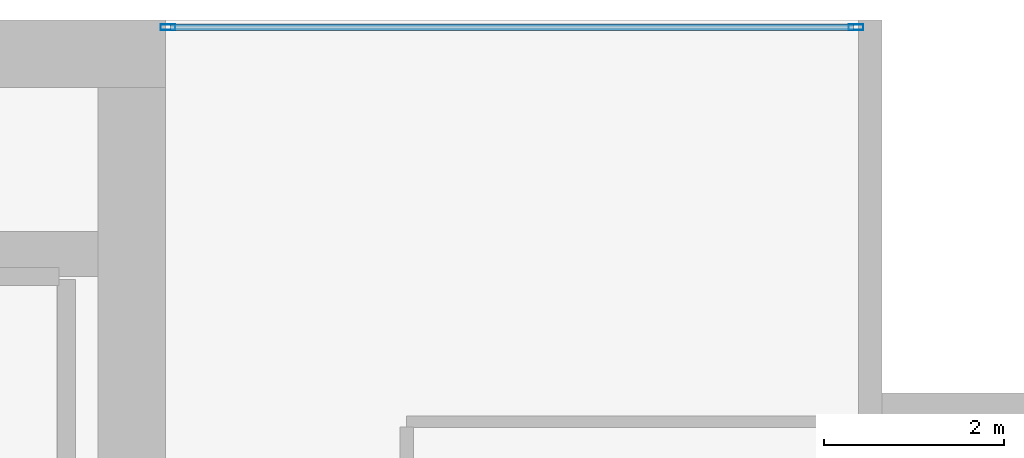
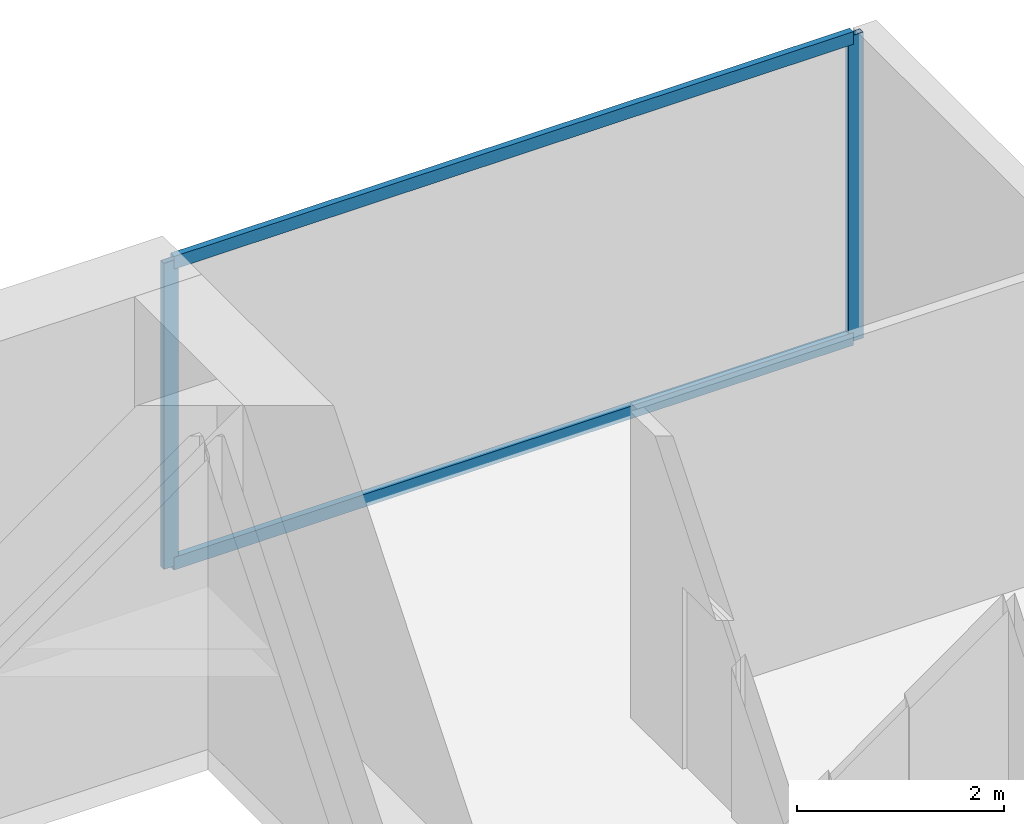
# One storey, part 25 of 34: 4 members, 1 element without a shape of its own.
"""IFC4 building model written with IfcOpenShell, lengths in metres."""

from ifc_helpers import new_model, si_unit, direction, frame, origin, origin_2d, place, context, subcontext, project, spatial, hollow_rectangle, extrude, material, layer, layer_set, material_profile, profile_set, type_object, element, aggregate, save


model = new_model("IFC4")

# Units and contexts
model_context = context("Model", 3, precision=1e-05, world=origin(), true_north=direction((0.0, 1.0)))
body_context = subcontext(model_context, "Body", "Model", "MODEL_VIEW")
ifc_project = project(units=[si_unit("LENGTHUNIT", "METRE"), si_unit("AREAUNIT", "SQUARE_METRE"), si_unit("VOLUMEUNIT", "CUBIC_METRE"), si_unit("PLANEANGLEUNIT", "RADIAN"), si_unit("MASSUNIT", "GRAM", prefix="KILO")], contexts=[model_context])

# Site, building, storey
site_placement = place(None, origin())
site = spatial("IfcSite", under=ifc_project, at=site_placement, CompositionType="ELEMENT")
building_placement = place(site_placement, origin())
building = spatial("IfcBuilding", under=site, at=building_placement, Name="Maruvema Waterfront Hotel and Observation Tower", CompositionType="ELEMENT")
storey_placement = place(building_placement, frame((0.0, 0.0, 215.949951171875)))
storey = spatial("IfcBuildingStorey", under=building, at=storey_placement, Name="L53", CompositionType="ELEMENT", Elevation=215.949951171875)

# Curtain wall, members
ifc_material_1 = material(Name="Anodised bronze aluminium and solar-control low-E IGU", Category="aluminium")
ifc_layer = layer(ifc_material_1, 0.159912109375, Name="Zone 2 Amber Inner Thermal Curtain Wall System CW-03")
ifc_layer_set = layer_set([ifc_layer], Name="Anodised bronze aluminium and solar-control low-E IGU")
curtain_wall_type = type_object("IfcCurtainWallType", Name="Zone 2 Amber Inner Thermal Curtain Wall System CW-03", PredefinedType="USERDEFINED", material=ifc_layer_set)
curtain_wall_placement = place(storey_placement, origin())
curtain_wall = element("IfcCurtainWall", 1, at=curtain_wall_placement, inside=storey, type_object=curtain_wall_type, Name="L53 Curtain Wall CW-L53-NE", ObjectType="UNITISED CURTAIN WALL", PredefinedType="USERDEFINED")
ifc_material_2 = material(Name="Anodised architectural bronze aluminium", Category="aluminium")
ifc_material_profile_1 = material_profile(ifc_material_2, hollow_rectangle(XDim=0.070068359375, YDim=0.14990234375, WallThickness=0.00390625, at=origin_2d()), Name="ALU-T70x150")
ifc_profile_set_1 = profile_set([ifc_material_profile_1], Name="Anodised architectural bronze aluminium")
member_type_1 = type_object("IfcMemberType", Name="Curtain Wall Horizontal Transom ALU-T70x150", PredefinedType="USERDEFINED", material=ifc_profile_set_1)
member_1_placement = place(storey_placement, frame((58.0400390625, 53.919921875, 0.030029296875), z_axis=(-1.0, 0.0, 0.0), x_axis=(0.0, -1.0, 0.0)))
member_1 = element("IfcMember", 2, at=member_1_placement, type_object=member_type_1, Name="CW-03 transom 1.1", ObjectType="TRANSOM", PredefinedType="USERDEFINED", context=body_context, shape_type="SweptSolid", body=[
    extrude(hollow_rectangle(XDim=0.070068359375, YDim=0.14990234375, WallThickness=0.00390625, at=origin_2d()), origin(), (0.0, 0.0, 1.0), 7.580078125),
])
member_2_placement = place(storey_placement, frame((58.0400390625, 53.919921875, 3.580078125), z_axis=(-1.0, 0.0, 0.0), x_axis=(0.0, -1.0, 0.0)))
member_2 = element("IfcMember", 3, at=member_2_placement, type_object=member_type_1, Name="CW-03 transom 1.2", ObjectType="TRANSOM", PredefinedType="USERDEFINED", context=body_context, shape_type="SweptSolid", body=[
    extrude(hollow_rectangle(XDim=0.070068359375, YDim=0.14990234375, WallThickness=0.00390625, at=origin_2d()), origin(), (0.0, 0.0, 1.0), 7.580078125),
])
ifc_material_3 = material(Name="Anodised architectural bronze aluminium", Category="aluminium")
ifc_material_profile_2 = material_profile(ifc_material_3, hollow_rectangle(XDim=0.06494140625, YDim=0.1650390625, WallThickness=0.00390625, at=origin_2d()), Name="ALU-M65x165")
ifc_profile_set_2 = profile_set([ifc_material_profile_2], Name="Anodised architectural bronze aluminium")
member_type_2 = type_object("IfcMemberType", Name="Curtain Wall Primary Mullion ALU-M65x165", PredefinedType="MULLION", material=ifc_profile_set_2)
member_3_placement = place(storey_placement, frame((58.070068359375, 53.919921875, 0.0), z_axis=(0.0, 0.0, 1.0), x_axis=(0.0, -1.0, 0.0)))
member_3 = element("IfcMember", 4, at=member_3_placement, type_object=member_type_2, Name="CW-03 mullion 1", PredefinedType="MULLION", context=body_context, shape_type="SweptSolid", body=[
    extrude(hollow_rectangle(XDim=0.06494140625, YDim=0.1650390625, WallThickness=0.00390625, at=origin_2d()), origin(), (0.0, 0.0, 1.0), 3.610107421875),
])
member_4_placement = place(storey_placement, frame((50.429931640625, 53.919921875, 0.0), z_axis=(0.0, 0.0, 1.0), x_axis=(0.0, -1.0, 0.0)))
member_4 = element("IfcMember", 5, at=member_4_placement, type_object=member_type_2, Name="CW-03 mullion 2", PredefinedType="MULLION", context=body_context, shape_type="SweptSolid", body=[
    extrude(hollow_rectangle(XDim=0.06494140625, YDim=0.1650390625, WallThickness=0.00390625, at=origin_2d()), origin(), (0.0, 0.0, 1.0), 3.610107421875),
])
aggregate(curtain_wall, [member_3, member_4, member_1, member_2])

save(model, "model.ifc")
